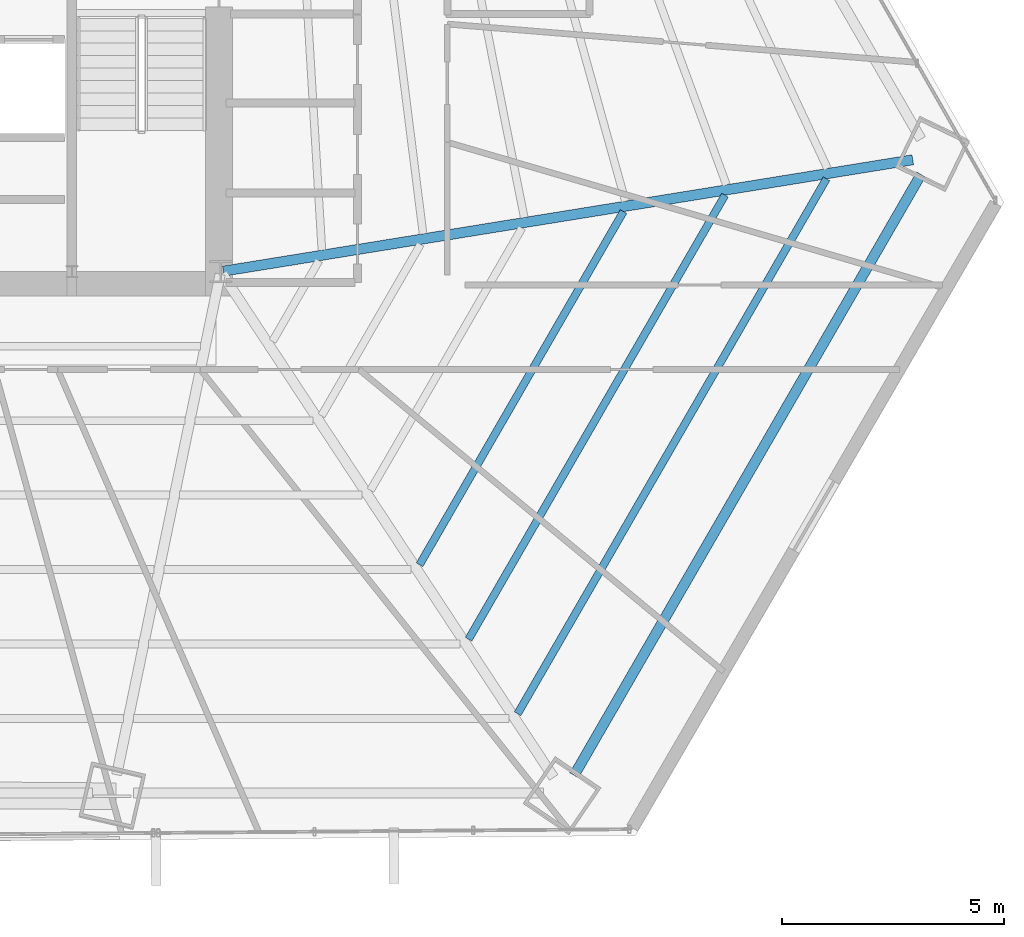
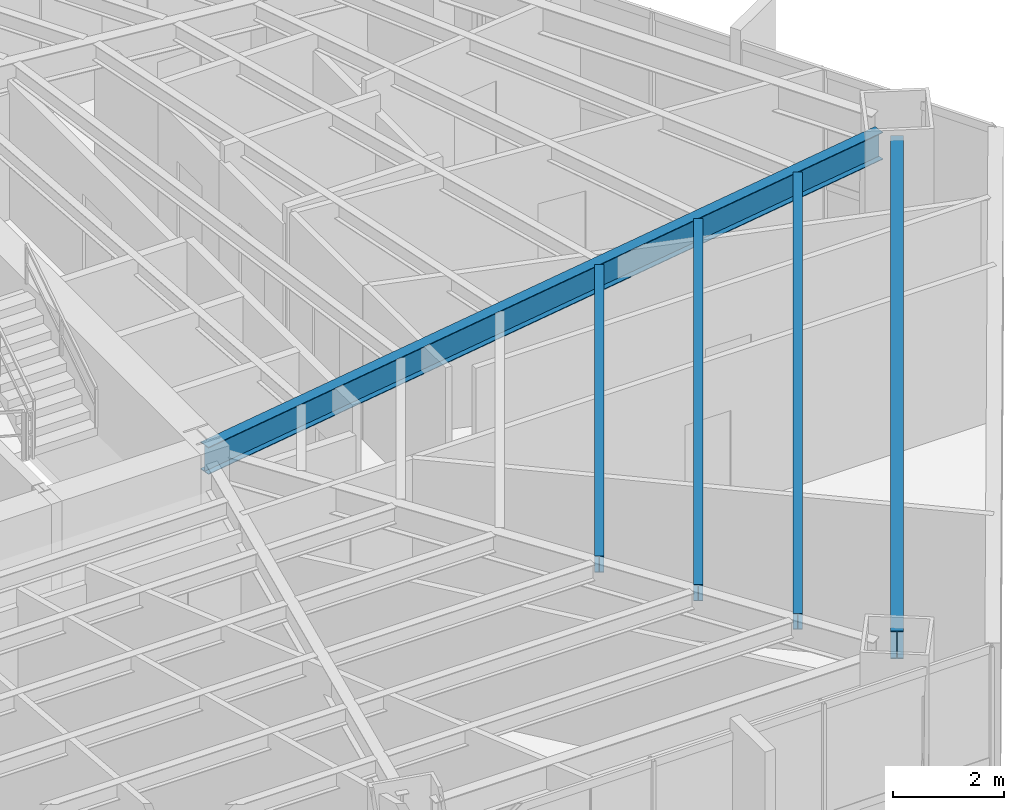
# One storey, part 19 of 38: 5 beams.
"""IFC4 building model written with IfcOpenShell, lengths in metres."""

import ifcopenshell
import ifcopenshell.guid

model = None  # the IFC model being written
_history = None  # IfcOwnerHistory: only IFC2X3 demands one
_inside = {}  # id of a spatial element -> (the spatial element, [elements in it])
_under = {}  # id of a project, library or spatial element -> (it, [spatial elements below it])
_declared = {}  # id of a project -> (the project, [libraries it declares])
_typed = {}  # id of a type object -> (the type object, [elements of that type])
_made_of = {}  # id of a material, layer set ... -> (it, [elements and type objects made of it])


def new_model(schema):
    """Start an empty IFC model of exactly this schema.

    Asked for "IFC4X3", IfcOpenShell would pick the latest addendum, in which some entities
    have other attributes; the version numbers below select the first issue.
    IFC2X3 requires an IfcOwnerHistory on every rooted entity: one is made here for all.
    """
    global model, _history
    if schema == "IFC4X3":
        model = ifcopenshell.file(schema_version=(4, 3, 0, 0))
    else:
        model = ifcopenshell.file(schema=schema)
    _inside.clear()
    _under.clear()
    _declared.clear()
    _typed.clear()
    _made_of.clear()
    _history = None
    if model.schema == "IFC2X3":
        org = make("IfcOrganization", Name="unknown")
        user = make(
            "IfcPersonAndOrganization",
            ThePerson=make("IfcPerson", FamilyName="unknown"),
            TheOrganization=org,
        )
        app = make(
            "IfcApplication",
            ApplicationDeveloper=org,
            Version="unknown",
            ApplicationFullName="unknown",
            ApplicationIdentifier="unknown",
        )
        _history = make(
            "IfcOwnerHistory",
            OwningUser=user,
            OwningApplication=app,
            ChangeAction="ADDED",
            CreationDate=0,
        )
    return model


def make(cls, **values):
    """One entity of the class cls with the attributes given. An attribute that is None is left unset."""
    return model.create_entity(
        cls, **{name: value for name, value in values.items() if value is not None}
    )


def rooted(cls, **values):
    """An entity with a GlobalId (a new one), such as an element, a storey or a relation."""
    return make(cls, GlobalId=ifcopenshell.guid.new(), OwnerHistory=_history, **values)


def si_unit(unit_type, name, prefix=None):
    """IfcSIUnit, for example si_unit("LENGTHUNIT", "METRE", prefix="MILLI")."""
    return make("IfcSIUnit", UnitType=unit_type, Prefix=prefix, Name=name)


def assignment(units):
    """IfcUnitAssignment: the units of a project."""
    return None if units is None else make("IfcUnitAssignment", Units=units)


def point(xyz):
    """IfcCartesianPoint."""
    return None if xyz is None else make("IfcCartesianPoint", Coordinates=xyz)


def direction(xyz):
    """IfcDirection."""
    return None if xyz is None else make("IfcDirection", DirectionRatios=xyz)


def frame(location, z_axis=None, x_axis=None):
    """IfcAxis2Placement3D, a coordinate frame: its origin and axes. An axis left out is left unset."""
    return make(
        "IfcAxis2Placement3D",
        Location=point(location),
        Axis=direction(z_axis),
        RefDirection=direction(x_axis),
    )


def frame_2d(location, x_axis=None):
    """IfcAxis2Placement2D, a coordinate frame in the plane: its origin and x axis."""
    return make(
        "IfcAxis2Placement2D", Location=point(location), RefDirection=direction(x_axis)
    )


def origin():
    """The frame at (0, 0, 0) with its axes left unset."""
    return frame((0.0, 0.0, 0.0))


def origin_2d():
    """The frame at (0, 0) in the plane with its x axis left unset."""
    return frame_2d((0.0, 0.0))


def place(relative_to, where):
    """IfcLocalPlacement: puts the frame where relative to a parent placement (None: the world)."""
    return make(
        "IfcLocalPlacement", PlacementRelTo=relative_to, RelativePlacement=where
    )


def context(
    kind, dimensions, precision=None, world=None, true_north=None, identifier=None
):
    """IfcGeometricRepresentationContext, for example the 3D "Model" context."""
    return make(
        "IfcGeometricRepresentationContext",
        ContextIdentifier=identifier,
        ContextType=kind,
        CoordinateSpaceDimension=dimensions,
        Precision=precision,
        WorldCoordinateSystem=world,
        TrueNorth=true_north,
    )


def subcontext(parent, identifier, kind, view, scale=None):
    """IfcGeometricRepresentationSubContext, for example "Body" below "Model"."""
    return make(
        "IfcGeometricRepresentationSubContext",
        ContextIdentifier=identifier,
        ContextType=kind,
        ParentContext=parent,
        TargetScale=scale,
        TargetView=view,
    )


def project(units=None, contexts=None):
    """IfcProject with its units and contexts."""
    return rooted(
        "IfcProject",
        Name="project",
        RepresentationContexts=contexts,
        UnitsInContext=assignment(units),
    )


def spatial(cls, under=None, at=None, **own):
    """A site, building, storey or space (cls), placed at a placement, below another one or the project."""
    s = rooted(cls, ObjectPlacement=at, **own)
    if under is not None:
        _under.setdefault(under.id(), (under, []))[1].append(s)
    return s


def profile(cls, at=None, kind="AREA", **sizes):
    """A parametric profile (cls). Its sizes go by their IFC names, for example OverallWidth=200.0."""
    return make(cls, ProfileType=kind, Position=at, **sizes)


def i_section(**sizes):
    """IfcIShapeProfileDef."""
    return profile("IfcIShapeProfileDef", **sizes)


def extrude(swept, where, along, depth):
    """IfcExtrudedAreaSolid: the profile swept, set in the frame where, extruded along a direction by depth."""
    return make(
        "IfcExtrudedAreaSolid",
        SweptArea=swept,
        Position=where,
        ExtrudedDirection=direction(along),
        Depth=depth,
    )


def shape(context_of_items, identifier, shape_type, items):
    """IfcShapeRepresentation: the items that make up one representation, for example the "Body"."""
    return make(
        "IfcShapeRepresentation",
        ContextOfItems=context_of_items,
        RepresentationIdentifier=identifier,
        RepresentationType=shape_type,
        Items=items,
    )


def source(mapping_origin, context_of_items, identifier, shape_type, items):
    """IfcRepresentationMap: a shape defined once, which mapped items show again and again."""
    return make(
        "IfcRepresentationMap",
        MappingOrigin=mapping_origin,
        MappedRepresentation=shape(context_of_items, identifier, shape_type, items),
    )


def transform(
    local_origin,
    x_axis=None,
    y_axis=None,
    z_axis=None,
    scale=None,
    scale2=None,
    scale3=None,
    uniform=True,
):
    """IfcCartesianTransformationOperator3D, or its non-uniform kind. x_axis, y_axis, z_axis: its Axis1, 2, 3."""
    if uniform:
        return make(
            "IfcCartesianTransformationOperator3D",
            Axis1=direction(x_axis),
            Axis2=direction(y_axis),
            LocalOrigin=point(local_origin),
            Scale=scale,
            Axis3=direction(z_axis),
        )
    return make(
        "IfcCartesianTransformationOperator3DnonUniform",
        Axis1=direction(x_axis),
        Axis2=direction(y_axis),
        LocalOrigin=point(local_origin),
        Scale=scale,
        Axis3=direction(z_axis),
        Scale2=scale2,
        Scale3=scale3,
    )


def mapped(mapping_source, mapping_target):
    """IfcMappedItem: shows the shape of a source again, moved by a transform."""
    return make(
        "IfcMappedItem", MappingSource=mapping_source, MappingTarget=mapping_target
    )


def material(Name=None, Category=None):
    """IfcMaterial."""
    return make("IfcMaterial", Name=Name, Category=Category)


def material_profile(
    of_material, cross_section, Name=None, Category=None, Priority=None
):
    """IfcMaterialProfile: a cross section and its material."""
    return make(
        "IfcMaterialProfile",
        Name=Name,
        Material=of_material,
        Profile=cross_section,
        Priority=Priority,
        Category=Category,
    )


def profile_set(profiles, Name=None, composite=None):
    """IfcMaterialProfileSet."""
    return make(
        "IfcMaterialProfileSet",
        Name=Name,
        MaterialProfiles=profiles,
        CompositeProfile=composite,
    )


def made_of(thing, what):
    """Note that an element or type object is made of a material, layer set ...; save() writes the relation."""
    if what is not None:
        _made_of.setdefault(what.id(), (what, []))[1].append(thing)
    return thing


def type_object(cls, material=None, **own):
    """A type object (cls), such as IfcWallType, which elements share."""
    return made_of(rooted(cls, **own), material)


def type_shapes(of_type, sources):
    """Give a type object the sources (RepresentationMaps) that its elements show as mapped items."""
    of_type.RepresentationMaps = sources


def element(
    cls,
    number,
    at=None,
    inside=None,
    cuts=None,
    type_object=None,
    material=None,
    context=None,
    identifier="Body",
    shape_type=None,
    held_by="IfcProductDefinitionShape",
    body=None,
    shapes=None,
    **own,
):
    """One element of the class cls, such as IfcWall. Its Tag is "e" and its number.

    at: its placement. inside: the storey or other place that contains it. cuts: it is an
    opening in that element (IfcRelVoidsElement). A single representation is given by context,
    identifier, shape_type and body (its items); several are given by shapes. held_by: the class
    of the entity that holds the representations. save() writes the other relations.
    """
    e = rooted(cls, Tag="e%d" % number, ObjectPlacement=at, **own)
    if body is not None:
        shapes = [shape(context, identifier, shape_type, body)]
    if shapes is not None:
        e.Representation = make(held_by, Representations=shapes)
    if inside is not None:
        _inside.setdefault(inside.id(), (inside, []))[1].append(e)
    if cuts is not None:
        rooted(
            "IfcRelVoidsElement", RelatingBuildingElement=cuts, RelatedOpeningElement=e
        )
    if type_object is not None:
        _typed.setdefault(type_object.id(), (type_object, []))[1].append(e)
    return made_of(e, material)


def aggregate(whole, parts):
    """IfcRelAggregates: a whole, such as a stair, and the parts it consists of."""
    return rooted("IfcRelAggregates", RelatingObject=whole, RelatedObjects=parts)


def save(model, path):
    """Write the relations noted so far, then the file.

    IfcRelAggregates (storeys below a building ...), IfcRelContainedInSpatialStructure (elements
    in a storey), IfcRelDefinesByType, IfcRelAssociatesMaterial and IfcRelDeclares: one each for
    every whole, place, type object, material and project.
    """
    for whole, parts in _under.values():
        aggregate(whole, parts)
    for where, things in _inside.values():
        rooted(
            "IfcRelContainedInSpatialStructure",
            RelatedElements=things,
            RelatingStructure=where,
        )
    for kind, things in _typed.values():
        rooted("IfcRelDefinesByType", RelatedObjects=things, RelatingType=kind)
    for what, things in _made_of.values():
        rooted("IfcRelAssociatesMaterial", RelatedObjects=things, RelatingMaterial=what)
    for by, libraries in _declared.values():
        rooted("IfcRelDeclares", RelatingContext=by, RelatedDefinitions=libraries)
    model.write(path)


model = new_model("IFC4")

# Units and contexts
model_context = context("Model", 3, precision=1e-05, world=origin(), true_north=direction((0.0, 1.0)))
body_context = subcontext(model_context, "Body", "Model", "MODEL_VIEW")
ifc_project = project(units=[si_unit("LENGTHUNIT", "METRE"), si_unit("AREAUNIT", "SQUARE_METRE"), si_unit("VOLUMEUNIT", "CUBIC_METRE"), si_unit("PLANEANGLEUNIT", "RADIAN"), si_unit("MASSUNIT", "GRAM", prefix="KILO")], contexts=[model_context])

# Site, building, storey
site_placement = place(None, origin())
site = spatial("IfcSite", under=ifc_project, at=site_placement, CompositionType="ELEMENT")
building_placement = place(site_placement, origin())
building = spatial("IfcBuilding", under=site, at=building_placement, Name="Caelisora Broadcast Tower", CompositionType="ELEMENT")
storey_placement = place(building_placement, frame((0.0, 0.0, 67.75)))
storey = spatial("IfcBuildingStorey", under=building, at=storey_placement, Name="L17", CompositionType="ELEMENT", Elevation=67.75)

# Beams
ifc_material = material(Name="Steel Grade 350 (AS/NZS 3679.1)", Category="steel")
ifc_material_profile_1 = material_profile(ifc_material, i_section(OverallWidth=0.172119140625, OverallDepth=0.358642578125, WebThickness=0.008056640625, FlangeThickness=0.012939453125, at=origin_2d()), Name="Steel Grade 350 (AS/NZS 3679.1)")
ifc_profile_set_1 = profile_set([ifc_material_profile_1], Name="Steel Grade 350 (AS/NZS 3679.1)")
beam_type_1 = type_object("IfcBeamType", Name="SB02", PredefinedType="JOIST", material=ifc_profile_set_1)
shared_shape_1 = source(origin(), body_context, "Body", "SweptSolid", [
    extrude(i_section(OverallWidth=0.172119140625, OverallDepth=0.358642578125, WebThickness=0.008056640625, FlangeThickness=0.012939453125, at=origin_2d()), origin(), (0.0, 0.0, 1.0), 9.17724609375),
])
beam_1_placement = place(storey_placement, frame((49.97509765625, 10.8037109375, 3.220703125), z_axis=(0.499998789643, 0.866026102583, 0.0), x_axis=(-0.866026102583, 0.499998789643, 0.0)))
element("IfcBeam", 1, at=beam_1_placement, inside=storey, type_object=beam_type_1, Name="L17 beam SB02", PredefinedType="JOIST", context=body_context, shape_type="MappedRepresentation", body=[
    mapped(shared_shape_1, transform((0.0, 0.0, 0.0), scale=1.0)),
])
ifc_material_profile_2 = material_profile(ifc_material, i_section(OverallWidth=0.22900390625, OverallDepth=0.611572265625, WebThickness=0.011962890625, FlangeThickness=0.01953125, at=origin_2d()), Name="Steel Grade 350 (AS/NZS 3679.1)")
ifc_profile_set_2 = profile_set([ifc_material_profile_2], Name="Steel Grade 350 (AS/NZS 3679.1)")
beam_type_2 = type_object("IfcBeamType", Name="PG03", PredefinedType="BEAM", material=ifc_profile_set_2)
shared_shape_2 = source(origin(), body_context, "Body", "SweptSolid", [
    extrude(i_section(OverallWidth=0.22900390625, OverallDepth=0.611572265625, WebThickness=0.011962890625, FlangeThickness=0.01953125, at=origin_2d()), origin(), (0.0, 0.0, 1.0), 15.6103515625),
])
type_shapes(beam_type_2, [shared_shape_2])
beam_2_placement = place(storey_placement, frame((53.452392578125, 6.06591796875, 3.09423828125), z_axis=(0.499997726712, 0.866026716264, 0.0), x_axis=(-0.866026716264, 0.499997726712, 0.0)))
element("IfcBeam", 2, at=beam_2_placement, inside=storey, type_object=beam_type_2, Name="L17 beam PG03", PredefinedType="BEAM", context=body_context, shape_type="MappedRepresentation", body=[
    mapped(shared_shape_2, transform((0.0, 0.0, 0.0), scale=1.0)),
])
ifc_material_profile_3 = material_profile(ifc_material, i_section(OverallWidth=0.22802734375, OverallDepth=0.602294921875, WebThickness=0.010498046875, FlangeThickness=0.014892578125, at=origin_2d()), Name="Steel Grade 350 (AS/NZS 3679.1)")
ifc_profile_set_3 = profile_set([ifc_material_profile_3], Name="Steel Grade 350 (AS/NZS 3679.1)")
beam_type_3 = type_object("IfcBeamType", Name="PG04", PredefinedType="BEAM", material=ifc_profile_set_3)
shared_shape_3 = source(origin(), body_context, "Body", "SweptSolid", [
    extrude(i_section(OverallWidth=0.22802734375, OverallDepth=0.602294921875, WebThickness=0.010498046875, FlangeThickness=0.014892578125, at=origin_2d()), origin(), (0.0, 0.0, 1.0), 15.715087890625),
])
type_shapes(beam_type_3, [shared_shape_3])
beam_3_placement = place(storey_placement, frame((45.55908203125, 17.40966796875, 3.098876953125), z_axis=(0.987195151038, 0.159517189564, 0.0), x_axis=(-0.159517189564, 0.987195151038, 0.0)))
element("IfcBeam", 3, at=beam_3_placement, inside=storey, type_object=beam_type_3, Name="L17 beam PG04", PredefinedType="BEAM", context=body_context, shape_type="MappedRepresentation", body=[
    mapped(shared_shape_3, transform((0.0, 0.0, 0.0), scale=1.0)),
])
shared_shape_4 = source(origin(), body_context, "Body", "SweptSolid", [
    extrude(i_section(OverallWidth=0.172119140625, OverallDepth=0.358642578125, WebThickness=0.008056640625, FlangeThickness=0.012939453125, at=origin_2d()), origin(), (0.0, 0.0, 1.0), 11.5390625),
])
beam_4_placement = place(storey_placement, frame((51.078125, 9.12744140625, 3.220703125), z_axis=(0.499998393838, 0.866026331101, 0.0), x_axis=(-0.866026331101, 0.499998393838, 0.0)))
element("IfcBeam", 4, at=beam_4_placement, inside=storey, type_object=beam_type_1, Name="L17 beam SB02", PredefinedType="JOIST", context=body_context, shape_type="MappedRepresentation", body=[
    mapped(shared_shape_4, transform((0.0, 0.0, 0.0), scale=1.0)),
])
shared_shape_5 = source(origin(), body_context, "Body", "SweptSolid", [
    extrude(i_section(OverallWidth=0.172119140625, OverallDepth=0.358642578125, WebThickness=0.008056640625, FlangeThickness=0.012939453125, at=origin_2d()), origin(), (0.0, 0.0, 1.0), 13.900390625),
])
type_shapes(beam_type_1, [shared_shape_1, shared_shape_4, shared_shape_5])
beam_5_placement = place(storey_placement, frame((52.181396484375, 7.451416015625, 3.220703125), z_axis=(0.500000170281, 0.866025305473, 0.0), x_axis=(-0.866025305473, 0.500000170281, 0.0)))
element("IfcBeam", 5, at=beam_5_placement, inside=storey, type_object=beam_type_1, Name="L17 beam SB02", PredefinedType="JOIST", context=body_context, shape_type="MappedRepresentation", body=[
    mapped(shared_shape_5, transform((0.0, 0.0, 0.0), scale=1.0)),
])

save(model, "model.ifc")
